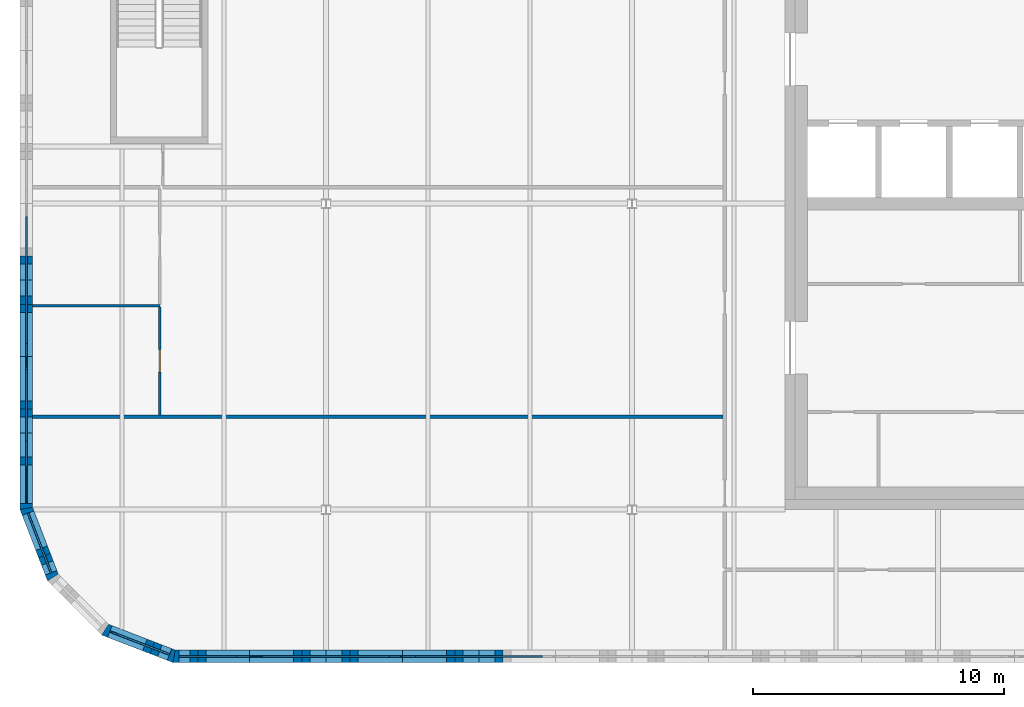
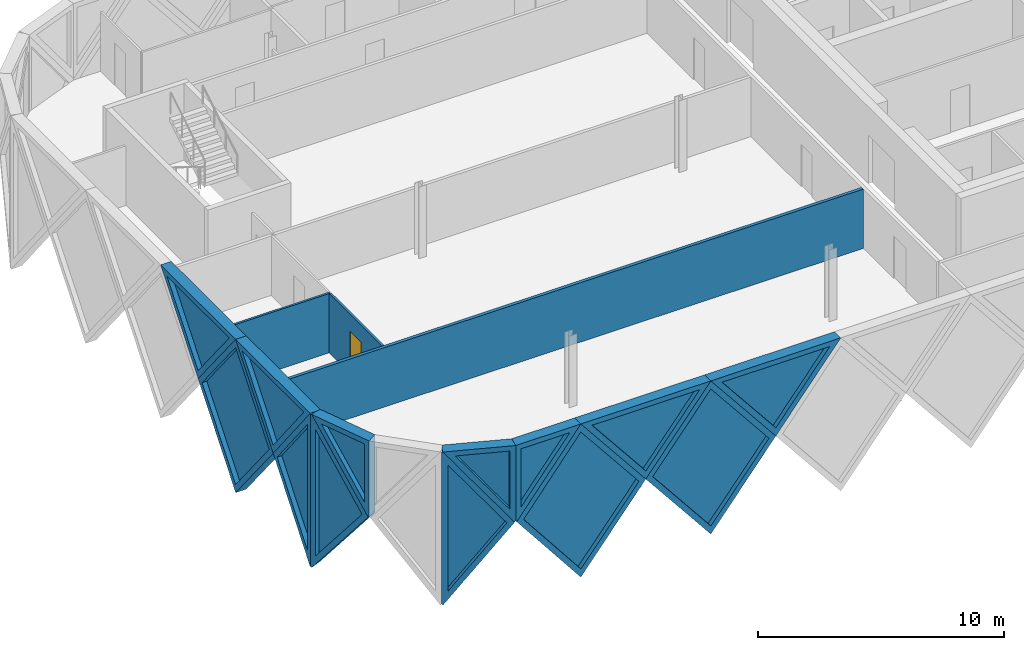
# One storey, part 3 of 12: 16 walls, 13 plates, 1 door, 14 openings.
"""IFC4 building model written with IfcOpenShell, lengths in metres."""

from ifc_helpers import new_model, si_unit, direction, frame, frame_2d, origin, place, context, subcontext, project, spatial, polyline, rectangle, outline, extrude, faceted_brep, source, transform, mapped, material, layer, layer_set, type_object, element, fill, save


model = new_model("IFC4")

# Units and contexts
model_context = context("Model", 3, precision=1e-05, world=origin(), true_north=direction((0.0, 1.0)))
body_context = subcontext(model_context, "Body", "Model", "MODEL_VIEW")
ifc_project = project(units=[si_unit("LENGTHUNIT", "METRE"), si_unit("AREAUNIT", "SQUARE_METRE"), si_unit("VOLUMEUNIT", "CUBIC_METRE"), si_unit("PLANEANGLEUNIT", "RADIAN"), si_unit("MASSUNIT", "GRAM", prefix="KILO")], contexts=[model_context])

# Site, building, storey
site_placement = place(None, origin())
site = spatial("IfcSite", under=ifc_project, at=site_placement, CompositionType="ELEMENT")
building_placement = place(site_placement, origin())
building = spatial("IfcBuilding", under=site, at=building_placement, Name="Tessera Gate Towers", CompositionType="ELEMENT")
storey_placement = place(building_placement, frame((0.0, 0.0, 255.89990234375)))
storey = spatial("IfcBuildingStorey", under=building, at=storey_placement, Name="L64", CompositionType="ELEMENT", Elevation=255.89990234375)

# Wall, opening, door
ifc_material_1 = material(Name="Gypsum board on steel studs", Category="steel")
ifc_layer_1 = layer(ifc_material_1, 0.10009765625)
ifc_layer_set_1 = layer_set([ifc_layer_1], Name="PARTITION 100")
wall_type_1 = type_object("IfcWallType", Name="PARTITION 100", PredefinedType="PARTITIONING", material=ifc_layer_set_1)
wall_1_placement = place(storey_placement, frame((5.574951171875, 28.176025390625, 0.0), z_axis=(0.0, 0.0, 1.0), x_axis=(0.0, 1.0, 0.0)))
wall_1 = element("IfcWall", 1, at=wall_1_placement, inside=storey, type_object=wall_type_1, Name="T1-L64-PW-008", PredefinedType="PARTITIONING", context=body_context, shape_type="SweptSolid", body=[
    extrude(rectangle(XDim=4.293212890625, YDim=0.10009765625, at=frame_2d((2.146484375, 0.0))), origin(), (0.0, 0.0, 1.0), 2.947021484375),
])
shared_shape_1 = source(origin(), body_context, "Body", "SweptSolid", [
    extrude(rectangle(XDim=0.89990234375, YDim=2.10009765625, at=frame_2d((0.449951171875, 1.050048828125))), frame((0.0, 0.06005859375, 0.0), z_axis=(0.0, -1.0, 0.0), x_axis=(1.0, 0.0, 0.0)), (0.0, 0.0, 1.0), 0.1201171875),
])
opening_1_placement = place(wall_1_placement, frame((1.699951171875, 0.0, 0.0)))
opening_1 = element("IfcOpeningElement", 2, at=opening_1_placement, cuts=wall_1, Name="Opening D190-A22-01", PredefinedType="OPENING", context=body_context, shape_type="MappedRepresentation", body=[
    mapped(shared_shape_1, transform((0.0, 0.0, 0.0), scale=1.0)),
])
ifc_material_2 = material(Name="Timber door leaf in steel frame", Category="steel")
door_type = type_object("IfcDoorType", Name="INTERNAL DOOR 900 NOT RATED", OperationType="NOTDEFINED", PredefinedType="DOOR", material=ifc_material_2)
shared_shape_2 = source(origin(), body_context, "Body", "SweptSolid", [
    extrude(rectangle(XDim=0.89990234375, YDim=2.10009765625, at=frame_2d((0.449951171875, 1.050048828125))), frame((0.0, 0.02490234375, 0.0), z_axis=(0.0, -1.0, 0.0), x_axis=(1.0, 0.0, 0.0)), (0.0, 0.0, 1.0), 0.050048828125),
])
door_placement = place(opening_1_placement, origin())
door = element("IfcDoor", 3, at=door_placement, inside=storey, type_object=door_type, Name="T1-L64-PD-002", OperationType="SINGLE_SWING_LEFT", OverallHeight=2.10009765625, OverallWidth=0.89990234375, PredefinedType="DOOR", context=body_context, shape_type="MappedRepresentation", body=[
    mapped(shared_shape_2, transform((0.0, 0.0, 0.0), scale=1.0)),
])
fill(opening_1, door)

# Walls
wall_2_placement = place(storey_placement, frame((0.5, 32.52001953125, 0.0), z_axis=(0.0, 0.0, 1.0), x_axis=(1.0, 0.0, 0.0)))
element("IfcWall", 4, at=wall_2_placement, inside=storey, type_object=wall_type_1, Name="T1-L64-PW-009", PredefinedType="PARTITIONING", context=body_context, shape_type="SweptSolid", body=[
    extrude(rectangle(XDim=5.074951171875, YDim=0.10009765625, at=frame_2d((2.53759765625, 0.0))), origin(), (0.0, 0.0, 1.0), 2.947021484375),
])
ifc_material_3 = material(Name="Gypsum board on steel studs, mineral wool", Category="steel")
ifc_layer_2 = layer(ifc_material_3, 0.14990234375)
ifc_layer_set_2 = layer_set([ifc_layer_2], Name="TENANCY WALL 150")
wall_type_2 = type_object("IfcWallType", Name="TENANCY WALL 150", PredefinedType="PARTITIONING", material=ifc_layer_set_2)
wall_3_placement = place(storey_placement, frame((0.5, 28.10009765625, 0.0), z_axis=(0.0, 0.0, 1.0), x_axis=(1.0, 0.0, 0.0)))
element("IfcWall", 5, at=wall_3_placement, inside=storey, type_object=wall_type_2, Name="T1-L64-PW-007", PredefinedType="PARTITIONING", context=body_context, shape_type="SweptSolid", body=[
    extrude(rectangle(XDim=27.52392578125, YDim=0.14990234375, at=frame_2d((13.761962890625, 0.0))), origin(), (0.0, 0.0, 1.0), 2.947021484375),
])

# Wall, opening, plate
ifc_material_4 = material(Name="Precast concrete C60/75 white", Category="concrete")
ifc_layer_3 = layer(ifc_material_4, 0.5)
ifc_layer_set_3 = layer_set([ifc_layer_3], Name="TS1 tessera")
wall_type_3 = type_object("IfcWallType", Name="TS1 tessera", PredefinedType="SOLIDWALL", material=ifc_layer_set_3)
shared_shape_3 = source(origin(), body_context, "Body", "SweptSolid", [
    extrude(outline(polyline([(3.050048828125, 0.0), (6.10009765625, 3.7998046875), (3.050048828125, 7.599853515625), (0.0, 3.7998046875), (3.050048828125, 0.0)])), frame((0.0, 0.25, 0.0), z_axis=(0.0, -1.0, 0.0), x_axis=(1.0, 0.0, 0.0)), (0.0, 0.0, 1.0), 0.5),
])
wall_4_placement = place(storey_placement, frame((12.199951171875, 18.550048828125, -3.7998046875), z_axis=(0.0, 0.0, 1.0), x_axis=(1.0, 0.0, 0.0)))
wall_4 = element("IfcWall", 6, at=wall_4_placement, inside=storey, type_object=wall_type_3, Name="Precast tessera T1 TS1-1124", PredefinedType="SOLIDWALL", context=body_context, shape_type="MappedRepresentation", body=[
    mapped(shared_shape_3, transform((0.0, 0.0, 0.0), scale=1.0)),
])
shared_shape_4 = source(origin(), body_context, "Body", "SweptSolid", [
    extrude(outline(polyline([(3.050048828125, 0.3994140625), (5.779541015625, 3.7998046875), (3.050048828125, 7.200439453125), (0.320556640625, 3.7998046875), (3.050048828125, 0.3994140625)])), frame((0.0, 0.260009765625, 0.0), z_axis=(0.0, -1.0, 0.0), x_axis=(1.0, 0.0, 0.0)), (0.0, 0.0, 1.0), 0.52001953125),
])
opening_2_placement = place(wall_4_placement, origin())
opening_2 = element("IfcOpeningElement", 7, at=opening_2_placement, cuts=wall_4, Name="Opening T1-PL2-2272", PredefinedType="OPENING", context=body_context, shape_type="MappedRepresentation", body=[
    mapped(shared_shape_4, transform((0.0, 0.0, 0.0), scale=1.0)),
])
ifc_material_5 = material(Name="Low-e laminated glass", Category="glass")
ifc_layer_4 = layer(ifc_material_5, 0.06005859375)
ifc_layer_set_4 = layer_set([ifc_layer_4], Name="PL2 rhombic pane")
plate_type_1 = type_object("IfcPlateType", Name="PL2 rhombic pane", PredefinedType="SHEET", material=ifc_layer_set_4)
shared_shape_5 = source(origin(), body_context, "Body", "SweptSolid", [
    extrude(outline(polyline([(3.050048828125, 0.3994140625), (5.779541015625, 3.7998046875), (3.050048828125, 7.200439453125), (0.320556640625, 3.7998046875), (3.050048828125, 0.3994140625)])), frame((0.0, 0.030029296875, 0.0), z_axis=(0.0, -1.0, 0.0), x_axis=(1.0, 0.0, 0.0)), (0.0, 0.0, 1.0), 0.06005859375),
])
plate_1_placement = place(opening_2_placement, origin())
plate_1 = element("IfcPlate", 8, at=plate_1_placement, inside=storey, type_object=plate_type_1, Name="Glass pane T1 PL2-2272", PredefinedType="SHEET", context=body_context, shape_type="MappedRepresentation", body=[
    mapped(shared_shape_5, transform((0.0, 0.0, 0.0), scale=1.0)),
])
fill(opening_2, plate_1)

wall_5_placement = place(storey_placement, frame((0.25, 33.550048828125, -3.7998046875), z_axis=(0.0, 0.0, 1.0), x_axis=(0.0, -1.0, 0.0)))
wall_5 = element("IfcWall", 9, at=wall_5_placement, inside=storey, type_object=wall_type_3, Name="Precast tessera T1 TS1-1144", PredefinedType="SOLIDWALL", context=body_context, shape_type="MappedRepresentation", body=[
    mapped(shared_shape_3, transform((0.0, 0.0, 0.0), scale=1.0)),
])
opening_3_placement = place(wall_5_placement, origin())
opening_3 = element("IfcOpeningElement", 10, at=opening_3_placement, cuts=wall_5, Name="Opening T1-PL2-2304", PredefinedType="OPENING", context=body_context, shape_type="MappedRepresentation", body=[
    mapped(shared_shape_4, transform((0.0, 0.0, 0.0), scale=1.0)),
])
plate_2_placement = place(opening_3_placement, origin())
plate_2 = element("IfcPlate", 11, at=plate_2_placement, inside=storey, type_object=plate_type_1, Name="Glass pane T1 PL2-2304", PredefinedType="SHEET", context=body_context, shape_type="MappedRepresentation", body=[
    mapped(shared_shape_5, transform((0.0, 0.0, 0.0), scale=1.0)),
])
fill(opening_3, plate_2)

ifc_material_6 = material(Name="Precast concrete C60/75 white", Category="concrete")
ifc_layer_5 = layer(ifc_material_6, 0.5)
ifc_layer_set_5 = layer_set([ifc_layer_5], Name="TS3 corner tessera")
wall_type_4 = type_object("IfcWallType", Name="TS3 corner tessera", PredefinedType="SOLIDWALL", material=ifc_layer_set_5)
shared_shape_6 = source(origin(), body_context, "Body", "Brep", [
    faceted_brep([(3.00341796875, -0.25, 0.0), (3.050048828125, -0.25, 0.06005859375), (3.050048828125, -0.25, 7.539794921875), (3.00341796875, -0.25, 7.599853515625), (0.0, -0.25, 3.7998046875), (0.0, 0.25, 3.7998046875), (2.956787109375, 0.25, 7.541015625), (2.956787109375, 0.25, 0.058837890625), (3.00341796875, 0.000244140625, 0.0), (3.00341796875, 0.000244140625, 7.599853515625)], [[[0, 1, 2, 3, 4]], [[5, 6, 7]], [[1, 0, 8]], [[9, 3, 2]], [[6, 5, 4, 3, 9]], [[5, 7, 8, 0, 4]], [[1, 8, 7, 6, 9, 2]]]),
])
wall_6_placement = place(storey_placement, frame((0.25, 27.449951171875, -3.7998046875), z_axis=(0.0, 0.0, 1.0), x_axis=(0.0, -1.0, 0.0)))
wall_6 = element("IfcWall", 12, at=wall_6_placement, inside=storey, type_object=wall_type_4, Name="Precast corner tessera T1 TS3-1461", PredefinedType="SOLIDWALL", context=body_context, shape_type="MappedRepresentation", body=[
    mapped(shared_shape_6, transform((0.0, 0.0, 0.0), scale=1.0)),
])
shared_shape_7 = source(origin(), body_context, "Body", "SweptSolid", [
    extrude(outline(polyline([(2.803466796875, 6.943603515625), (0.318603515625, 3.7998046875), (2.803466796875, 0.656005859375), (2.803466796875, 6.943603515625)])), frame((0.0, 0.260009765625, 0.0), z_axis=(0.0, -1.0, 0.0), x_axis=(1.0, 0.0, 0.0)), (0.0, 0.0, 1.0), 0.52001953125),
])
opening_4_placement = place(wall_6_placement, origin())
opening_4 = element("IfcOpeningElement", 13, at=opening_4_placement, cuts=wall_6, Name="Opening T1-PL2-2305", PredefinedType="OPENING", context=body_context, shape_type="MappedRepresentation", body=[
    mapped(shared_shape_7, transform((0.0, 0.0, 0.0), scale=1.0)),
])
shared_shape_8 = source(origin(), body_context, "Body", "SweptSolid", [
    extrude(outline(polyline([(2.803466796875, 6.943603515625), (0.318603515625, 3.7998046875), (2.803466796875, 0.656005859375), (2.803466796875, 6.943603515625)])), frame((0.0, 0.030029296875, 0.0), z_axis=(0.0, -1.0, 0.0), x_axis=(1.0, 0.0, 0.0)), (0.0, 0.0, 1.0), 0.06005859375),
])
plate_3_placement = place(opening_4_placement, origin())
plate_3 = element("IfcPlate", 14, at=plate_3_placement, inside=storey, type_object=plate_type_1, Name="Glass pane T1 PL2-2305", PredefinedType="SHEET", context=body_context, shape_type="MappedRepresentation", body=[
    mapped(shared_shape_8, transform((0.0, 0.0, 0.0), scale=1.0)),
])
fill(opening_4, plate_3)

shared_shape_9 = source(origin(), body_context, "Body", "Brep", [
    faceted_brep([(0.046630859375, -0.25, 0.0), (2.9970703125, -0.25, 3.7998046875), (0.046630859375, -0.25, 7.599853515625), (0.0, -0.25, 7.541015625), (0.0, -0.25, 0.058837890625), (0.09326171875, 0.25, 7.539794921875), (2.9443359375, 0.25, 3.867919921875), (2.9443359375, 0.25, 3.731689453125), (0.09326171875, 0.25, 0.06005859375), (2.9970703125, 0.00048828125, 3.7998046875), (0.046630859375, 0.0, 0.0), (0.046630859375, 0.0, 7.599853515625)], [[[0, 1, 2, 3, 4]], [[5, 6, 7, 8]], [[8, 7, 9, 1, 0, 10]], [[6, 5, 11, 2, 1, 9]], [[3, 2, 11]], [[10, 0, 4]], [[8, 10, 4, 3, 11, 5]], [[9, 7, 6]]]),
])
wall_7_placement = place(storey_placement, frame((0.233154296875, 24.489990234375, -3.7998046875), z_axis=(0.0, 0.0, 1.0), x_axis=(0.359901446078, -0.932990326376, 0.0)))
wall_7 = element("IfcWall", 15, at=wall_7_placement, inside=storey, type_object=wall_type_4, Name="Precast corner tessera T1 TS3-1462", PredefinedType="SOLIDWALL", context=body_context, shape_type="MappedRepresentation", body=[
    mapped(shared_shape_9, transform((0.0, 0.0, 0.0), scale=1.0)),
])
shared_shape_10 = source(origin(), body_context, "Body", "SweptSolid", [
    extrude(outline(polyline([(0.24658203125, 0.6650390625), (2.6806640625, 3.7998046875), (0.24658203125, 6.9345703125), (0.24658203125, 0.6650390625)])), frame((0.0, 0.260009765625, 0.0), z_axis=(0.0, -1.0, 0.0), x_axis=(1.0, 0.0, 0.0)), (0.0, 0.0, 1.0), 0.52001953125),
])
opening_5_placement = place(wall_7_placement, origin())
opening_5 = element("IfcOpeningElement", 16, at=opening_5_placement, cuts=wall_7, Name="Opening T1-PL2-2306", PredefinedType="OPENING", context=body_context, shape_type="MappedRepresentation", body=[
    mapped(shared_shape_10, transform((0.0, 0.0, 0.0), scale=1.0)),
])
shared_shape_11 = source(origin(), body_context, "Body", "SweptSolid", [
    extrude(outline(polyline([(0.24658203125, 0.6650390625), (2.6806640625, 3.7998046875), (0.24658203125, 6.9345703125), (0.24658203125, 0.6650390625)])), frame((0.0, 0.030029296875, 0.0), z_axis=(0.0, -1.0, 0.0), x_axis=(1.0, 0.0, 0.0)), (0.0, 0.0, 1.0), 0.06005859375),
])
plate_4_placement = place(opening_5_placement, origin())
plate_4 = element("IfcPlate", 17, at=plate_4_placement, inside=storey, type_object=plate_type_1, Name="Glass pane T1 PL2-2306", PredefinedType="SHEET", context=body_context, shape_type="MappedRepresentation", body=[
    mapped(shared_shape_11, transform((0.0, 0.0, 0.0), scale=1.0)),
])
fill(opening_5, plate_4)

shared_shape_12 = source(origin(), body_context, "Body", "Brep", [
    faceted_brep([(3.00341796875, -0.25, 0.0), (6.053466796875, -0.25, 3.7998046875), (3.00341796875, -0.25, 7.599853515625), (0.0, -0.25, 3.7998046875), (0.046630859375, 0.25, 3.858642578125), (3.00341796875, 0.25, 7.599853515625), (6.053466796875, 0.25, 3.7998046875), (3.00341796875, 0.25, 0.0), (0.046630859375, 0.25, 3.740966796875), (0.0, 0.0, 3.7998046875)], [[[0, 1, 2, 3]], [[4, 5, 6, 7, 8]], [[7, 6, 1, 0]], [[6, 5, 2, 1]], [[5, 4, 9, 3, 2]], [[8, 7, 0, 3, 9]], [[8, 9, 4]]]),
])
wall_8_placement = place(storey_placement, frame((6.146484375, 18.550048828125, -3.7998046875), z_axis=(0.0, 0.0, 1.0), x_axis=(1.0, 0.0, 0.0)))
wall_8 = element("IfcWall", 18, at=wall_8_placement, inside=storey, type_object=wall_type_3, Name="Precast tessera T1 TS1-1123", PredefinedType="SOLIDWALL", context=body_context, shape_type="MappedRepresentation", body=[
    mapped(shared_shape_12, transform((0.0, 0.0, 0.0), scale=1.0)),
])
shared_shape_13 = source(origin(), body_context, "Body", "SweptSolid", [
    extrude(outline(polyline([(3.0048828125, 0.401123046875), (5.73291015625, 3.7998046875), (3.0048828125, 7.19873046875), (0.318603515625, 3.7998046875), (3.0048828125, 0.401123046875)])), frame((0.0, 0.260009765625, 0.0), z_axis=(0.0, -1.0, 0.0), x_axis=(1.0, 0.0, 0.0)), (0.0, 0.0, 1.0), 0.52001953125),
])
opening_6_placement = place(wall_8_placement, origin())
opening_6 = element("IfcOpeningElement", 19, at=opening_6_placement, cuts=wall_8, Name="Opening T1-PL2-2271", PredefinedType="OPENING", context=body_context, shape_type="MappedRepresentation", body=[
    mapped(shared_shape_13, transform((0.0, 0.0, 0.0), scale=1.0)),
])
shared_shape_14 = source(origin(), body_context, "Body", "SweptSolid", [
    extrude(outline(polyline([(3.0048828125, 0.401123046875), (5.73291015625, 3.7998046875), (3.0048828125, 7.19873046875), (0.318603515625, 3.7998046875), (3.0048828125, 0.401123046875)])), frame((0.0, 0.030029296875, 0.0), z_axis=(0.0, -1.0, 0.0), x_axis=(1.0, 0.0, 0.0)), (0.0, 0.0, 1.0), 0.06005859375),
])
plate_5_placement = place(opening_6_placement, origin())
plate_5 = element("IfcPlate", 20, at=plate_5_placement, inside=storey, type_object=plate_type_1, Name="Glass pane T1 PL2-2271", PredefinedType="SHEET", context=body_context, shape_type="MappedRepresentation", body=[
    mapped(shared_shape_14, transform((0.0, 0.0, 0.0), scale=1.0)),
])
fill(opening_6, plate_5)

shared_shape_15 = source(origin(), body_context, "Body", "Brep", [
    faceted_brep([(0.052978515625, -0.25, 0.0), (3.00341796875, -0.25, 3.7998046875), (0.052978515625, -0.25, 7.599853515625), (0.0, -0.25, 7.531494140625), (0.0, -0.25, 0.068359375), (0.10595703125, 0.25, 7.53173828125), (2.95703125, 0.25, 3.859619140625), (2.95703125, 0.25, 3.739990234375), (0.10595703125, 0.25, 0.068115234375), (3.00341796875, 0.00048828125, 3.7998046875), (0.052978515625, 0.0, 0.0), (0.052978515625, 0.0, 7.599853515625)], [[[0, 1, 2, 3, 4]], [[5, 6, 7, 8]], [[8, 7, 9, 1, 0, 10]], [[6, 5, 11, 2, 1, 9]], [[3, 2, 11]], [[10, 0, 4]], [[8, 10, 4, 3, 11, 5]], [[9, 7, 6]]]),
])
wall_9_placement = place(storey_placement, frame((3.34423828125, 19.630859375, -3.7998046875), z_axis=(0.0, 0.0, 1.0), x_axis=(0.933007896601, -0.359855894603, 0.0)))
wall_9 = element("IfcWall", 21, at=wall_9_placement, inside=storey, type_object=wall_type_4, Name="Precast corner tessera T1 TS3-1464", PredefinedType="SOLIDWALL", context=body_context, shape_type="MappedRepresentation", body=[
    mapped(shared_shape_15, transform((0.0, 0.0, 0.0), scale=1.0)),
])
shared_shape_16 = source(origin(), body_context, "Body", "SweptSolid", [
    extrude(outline(polyline([(0.2529296875, 0.6650390625), (2.68701171875, 3.7998046875), (0.2529296875, 6.9345703125), (0.2529296875, 0.6650390625)])), frame((0.0, 0.260009765625, 0.0), z_axis=(0.0, -1.0, 0.0), x_axis=(1.0, 0.0, 0.0)), (0.0, 0.0, 1.0), 0.52001953125),
])
opening_7_placement = place(wall_9_placement, origin())
opening_7 = element("IfcOpeningElement", 22, at=opening_7_placement, cuts=wall_9, Name="Opening T1-PL2-2308", PredefinedType="OPENING", context=body_context, shape_type="MappedRepresentation", body=[
    mapped(shared_shape_16, transform((0.0, 0.0, 0.0), scale=1.0)),
])
shared_shape_17 = source(origin(), body_context, "Body", "SweptSolid", [
    extrude(outline(polyline([(0.2529296875, 0.6650390625), (2.68701171875, 3.7998046875), (0.2529296875, 6.9345703125), (0.2529296875, 0.6650390625)])), frame((0.0, 0.030029296875, 0.0), z_axis=(0.0, -1.0, 0.0), x_axis=(1.0, 0.0, 0.0)), (0.0, 0.0, 1.0), 0.06005859375),
])
plate_6_placement = place(opening_7_placement, origin())
plate_6 = element("IfcPlate", 23, at=plate_6_placement, inside=storey, type_object=plate_type_1, Name="Glass pane T1 PL2-2308", PredefinedType="SHEET", context=body_context, shape_type="MappedRepresentation", body=[
    mapped(shared_shape_17, transform((0.0, 0.0, 0.0), scale=1.0)),
])
fill(opening_7, plate_6)

shared_shape_18 = source(origin(), body_context, "Body", "Brep", [
    faceted_brep([(0.046630859375, -0.25, 0.0), (3.050048828125, -0.25, 3.800048828125), (0.0, -0.25, 3.800048828125), (0.0, -0.25, 0.06005859375), (0.09326171875, 0.25, 3.800048828125), (3.050048828125, 0.25, 3.800048828125), (0.09326171875, 0.25, 0.058837890625), (0.046630859375, 0.0, 0.0)], [[[0, 1, 2, 3]], [[4, 5, 6]], [[6, 5, 1, 0, 7]], [[5, 4, 2, 1]], [[7, 0, 3]], [[6, 7, 3, 2, 4]]]),
])
wall_10_placement = place(storey_placement, frame((6.099853515625, 18.550048828125, 0.0), z_axis=(0.0, 0.0, 1.0), x_axis=(1.0, 0.0, 0.0)))
wall_10 = element("IfcWall", 24, at=wall_10_placement, inside=storey, type_object=wall_type_4, Name="Precast corner tessera T1 TS3-1465", PredefinedType="SOLIDWALL", context=body_context, shape_type="MappedRepresentation", body=[
    mapped(shared_shape_18, transform((0.0, 0.0, 0.0), scale=1.0)),
])
shared_shape_19 = source(origin(), body_context, "Body", "SweptSolid", [
    extrude(outline(polyline([(0.24658203125, 0.65625), (2.533935546875, 3.550048828125), (0.24658203125, 3.550048828125), (0.24658203125, 0.65625)])), frame((0.0, 0.260009765625, 0.0), z_axis=(0.0, -1.0, 0.0), x_axis=(1.0, 0.0, 0.0)), (0.0, 0.0, 1.0), 0.52001953125),
])
opening_8_placement = place(wall_10_placement, origin())
opening_8 = element("IfcOpeningElement", 25, at=opening_8_placement, cuts=wall_10, Name="Opening T1-PL1-0608", PredefinedType="OPENING", context=body_context, shape_type="MappedRepresentation", body=[
    mapped(shared_shape_19, transform((0.0, 0.0, 0.0), scale=1.0)),
])
ifc_material_7 = material(Name="Low-e laminated glass", Category="glass")
ifc_layer_6 = layer(ifc_material_7, 0.06005859375)
ifc_layer_set_6 = layer_set([ifc_layer_6], Name="PL1 triangular pane")
plate_type_2 = type_object("IfcPlateType", Name="PL1 triangular pane", PredefinedType="SHEET", material=ifc_layer_set_6)
shared_shape_20 = source(origin(), body_context, "Body", "SweptSolid", [
    extrude(outline(polyline([(0.24658203125, 0.65625), (2.533935546875, 3.550048828125), (0.24658203125, 3.550048828125), (0.24658203125, 0.65625)])), frame((0.0, 0.030029296875, 0.0), z_axis=(0.0, -1.0, 0.0), x_axis=(1.0, 0.0, 0.0)), (0.0, 0.0, 1.0), 0.06005859375),
])
plate_7_placement = place(opening_8_placement, origin())
plate_7 = element("IfcPlate", 26, at=plate_7_placement, inside=storey, type_object=plate_type_2, Name="Glass pane T1 PL1-0608", PredefinedType="SHEET", context=body_context, shape_type="MappedRepresentation", body=[
    mapped(shared_shape_20, transform((0.0, 0.0, 0.0), scale=1.0)),
])
fill(opening_8, plate_7)

ifc_material_8 = material(Name="Precast concrete C60/75 white", Category="concrete")
ifc_layer_7 = layer(ifc_material_8, 0.5)
ifc_layer_set_7 = layer_set([ifc_layer_7], Name="TS2 half tessera")
wall_type_5 = type_object("IfcWallType", Name="TS2 half tessera", PredefinedType="SOLIDWALL", material=ifc_layer_set_7)
shared_shape_21 = source(origin(), body_context, "Body", "SweptSolid", [
    extrude(outline(polyline([(3.050048828125, 0.0), (6.10009765625, 3.800048828125), (0.0, 3.800048828125), (3.050048828125, 0.0)])), frame((0.0, 0.25, 0.0), z_axis=(0.0, -1.0, 0.0), x_axis=(1.0, 0.0, 0.0)), (0.0, 0.0, 1.0), 0.5),
])
wall_11_placement = place(storey_placement, frame((9.14990234375, 18.550048828125, 0.0), z_axis=(0.0, 0.0, 1.0), x_axis=(1.0, 0.0, 0.0)))
wall_11 = element("IfcWall", 27, at=wall_11_placement, inside=storey, type_object=wall_type_5, Name="Precast half tessera T1 TS2-0298", PredefinedType="SOLIDWALL", context=body_context, shape_type="MappedRepresentation", body=[
    mapped(shared_shape_21, transform((0.0, 0.0, 0.0), scale=1.0)),
])
shared_shape_22 = source(origin(), body_context, "Body", "SweptSolid", [
    extrude(outline(polyline([(3.050048828125, 0.3994140625), (5.578857421875, 3.550048828125), (0.521240234375, 3.550048828125), (3.050048828125, 0.3994140625)])), frame((0.0, 0.260009765625, 0.0), z_axis=(0.0, -1.0, 0.0), x_axis=(1.0, 0.0, 0.0)), (0.0, 0.0, 1.0), 0.52001953125),
])
opening_9_placement = place(wall_11_placement, origin())
opening_9 = element("IfcOpeningElement", 28, at=opening_9_placement, cuts=wall_11, Name="Opening T1-PL1-0610", PredefinedType="OPENING", context=body_context, shape_type="MappedRepresentation", body=[
    mapped(shared_shape_22, transform((0.0, 0.0, 0.0), scale=1.0)),
])
shared_shape_23 = source(origin(), body_context, "Body", "SweptSolid", [
    extrude(outline(polyline([(3.050048828125, 0.3994140625), (5.578857421875, 3.550048828125), (0.521240234375, 3.550048828125), (3.050048828125, 0.3994140625)])), frame((0.0, 0.030029296875, 0.0), z_axis=(0.0, -1.0, 0.0), x_axis=(1.0, 0.0, 0.0)), (0.0, 0.0, 1.0), 0.06005859375),
])
plate_8_placement = place(opening_9_placement, origin())
plate_8 = element("IfcPlate", 29, at=plate_8_placement, inside=storey, type_object=plate_type_2, Name="Glass pane T1 PL1-0610", PredefinedType="SHEET", context=body_context, shape_type="MappedRepresentation", body=[
    mapped(shared_shape_23, transform((0.0, 0.0, 0.0), scale=1.0)),
])
fill(opening_9, plate_8)

wall_12_placement = place(storey_placement, frame((15.25, 18.550048828125, 0.0), z_axis=(0.0, 0.0, 1.0), x_axis=(1.0, 0.0, 0.0)))
wall_12 = element("IfcWall", 30, at=wall_12_placement, inside=storey, type_object=wall_type_5, Name="Precast half tessera T1 TS2-0299", PredefinedType="SOLIDWALL", context=body_context, shape_type="MappedRepresentation", body=[
    mapped(shared_shape_21, transform((0.0, 0.0, 0.0), scale=1.0)),
])
opening_10_placement = place(wall_12_placement, origin())
opening_10 = element("IfcOpeningElement", 31, at=opening_10_placement, cuts=wall_12, Name="Opening T1-PL1-0611", PredefinedType="OPENING", context=body_context, shape_type="MappedRepresentation", body=[
    mapped(shared_shape_22, transform((0.0, 0.0, 0.0), scale=1.0)),
])
plate_9_placement = place(opening_10_placement, origin())
plate_9 = element("IfcPlate", 32, at=plate_9_placement, inside=storey, type_object=plate_type_2, Name="Glass pane T1 PL1-0611", PredefinedType="SHEET", context=body_context, shape_type="MappedRepresentation", body=[
    mapped(shared_shape_23, transform((0.0, 0.0, 0.0), scale=1.0)),
])
fill(opening_10, plate_9)

wall_13_placement = place(storey_placement, frame((0.25, 36.60009765625, 0.0), z_axis=(0.0, 0.0, 1.0), x_axis=(0.0, -1.0, 0.0)))
wall_13 = element("IfcWall", 33, at=wall_13_placement, inside=storey, type_object=wall_type_5, Name="Precast half tessera T1 TS2-0318", PredefinedType="SOLIDWALL", context=body_context, shape_type="MappedRepresentation", body=[
    mapped(shared_shape_21, transform((0.0, 0.0, 0.0), scale=1.0)),
])
opening_11_placement = place(wall_13_placement, origin())
opening_11 = element("IfcOpeningElement", 34, at=opening_11_placement, cuts=wall_13, Name="Opening T1-PL1-0642", PredefinedType="OPENING", context=body_context, shape_type="MappedRepresentation", body=[
    mapped(shared_shape_22, transform((0.0, 0.0, 0.0), scale=1.0)),
])
plate_10_placement = place(opening_11_placement, origin())
plate_10 = element("IfcPlate", 35, at=plate_10_placement, inside=storey, type_object=plate_type_2, Name="Glass pane T1 PL1-0642", PredefinedType="SHEET", context=body_context, shape_type="MappedRepresentation", body=[
    mapped(shared_shape_23, transform((0.0, 0.0, 0.0), scale=1.0)),
])
fill(opening_11, plate_10)

shared_shape_24 = source(origin(), body_context, "Body", "Brep", [
    faceted_brep([(3.050048828125, -0.25, 0.0), (6.053466796875, -0.25, 3.800048828125), (0.0, -0.25, 3.800048828125), (0.0, 0.25, 3.800048828125), (6.0068359375, 0.25, 3.800048828125), (6.0068359375, 0.25, 3.7412109375), (3.050048828125, 0.25, 0.0), (6.053466796875, 0.0, 3.800048828125)], [[[0, 1, 2]], [[3, 4, 5, 6]], [[6, 5, 7, 1, 0]], [[4, 3, 2, 1, 7]], [[3, 6, 0, 2]], [[5, 4, 7]]]),
])
wall_14_placement = place(storey_placement, frame((0.25, 30.5, 0.0), z_axis=(0.0, 0.0, 1.0), x_axis=(0.0, -1.0, 0.0)))
wall_14 = element("IfcWall", 36, at=wall_14_placement, inside=storey, type_object=wall_type_5, Name="Precast half tessera T1 TS2-0319", PredefinedType="SOLIDWALL", context=body_context, shape_type="MappedRepresentation", body=[
    mapped(shared_shape_24, transform((0.0, 0.0, 0.0), scale=1.0)),
])
shared_shape_25 = source(origin(), body_context, "Body", "SweptSolid", [
    extrude(outline(polyline([(3.048583984375, 0.4013671875), (5.537109375, 3.550048828125), (0.521240234375, 3.550048828125), (3.048583984375, 0.4013671875)])), frame((0.0, 0.260009765625, 0.0), z_axis=(0.0, -1.0, 0.0), x_axis=(1.0, 0.0, 0.0)), (0.0, 0.0, 1.0), 0.52001953125),
])
opening_12_placement = place(wall_14_placement, origin())
opening_12 = element("IfcOpeningElement", 37, at=opening_12_placement, cuts=wall_14, Name="Opening T1-PL1-0643", PredefinedType="OPENING", context=body_context, shape_type="MappedRepresentation", body=[
    mapped(shared_shape_25, transform((0.0, 0.0, 0.0), scale=1.0)),
])
shared_shape_26 = source(origin(), body_context, "Body", "SweptSolid", [
    extrude(outline(polyline([(3.048583984375, 0.4013671875), (5.537109375, 3.550048828125), (0.521240234375, 3.550048828125), (3.048583984375, 0.4013671875)])), frame((0.0, 0.030029296875, 0.0), z_axis=(0.0, -1.0, 0.0), x_axis=(1.0, 0.0, 0.0)), (0.0, 0.0, 1.0), 0.06005859375),
])
plate_11_placement = place(opening_12_placement, origin())
plate_11 = element("IfcPlate", 38, at=plate_11_placement, inside=storey, type_object=plate_type_2, Name="Glass pane T1 PL1-0643", PredefinedType="SHEET", context=body_context, shape_type="MappedRepresentation", body=[
    mapped(shared_shape_26, transform((0.0, 0.0, 0.0), scale=1.0)),
])
fill(opening_12, plate_11)

shared_shape_27 = source(origin(), body_context, "Body", "Brep", [
    faceted_brep([(2.950439453125, -0.25, 0.0), (3.00341796875, -0.25, 0.068359375), (3.00341796875, -0.25, 3.800048828125), (0.0, -0.25, 3.800048828125), (0.046630859375, 0.25, 3.800048828125), (2.897705078125, 0.25, 3.800048828125), (2.897705078125, 0.25, 0.068115234375), (0.046630859375, 0.25, 3.739990234375), (2.950439453125, 0.00048828125, 0.0), (0.0, 0.0, 3.800048828125)], [[[0, 1, 2, 3]], [[4, 5, 6, 7]], [[1, 0, 8]], [[5, 4, 9, 3, 2]], [[7, 6, 8, 0, 3, 9]], [[7, 9, 4]], [[1, 8, 6, 5, 2]]]),
])
wall_15_placement = place(storey_placement, frame((0.25, 24.446533203125, 0.0), z_axis=(0.0, 0.0, 1.0), x_axis=(0.35992665181, -0.932980602862, 0.0)))
wall_15 = element("IfcWall", 39, at=wall_15_placement, inside=storey, type_object=wall_type_4, Name="Precast corner tessera T1 TS3-1479", PredefinedType="SOLIDWALL", context=body_context, shape_type="MappedRepresentation", body=[
    mapped(shared_shape_27, transform((0.0, 0.0, 0.0), scale=1.0)),
])
shared_shape_28 = source(origin(), body_context, "Body", "SweptSolid", [
    extrude(outline(polyline([(2.75048828125, 3.550048828125), (0.5107421875, 3.550048828125), (2.75048828125, 0.665283203125), (2.75048828125, 3.550048828125)])), frame((0.0, 0.260009765625, 0.0), z_axis=(0.0, -1.0, 0.0), x_axis=(1.0, 0.0, 0.0)), (0.0, 0.0, 1.0), 0.52001953125),
])
opening_13_placement = place(wall_15_placement, origin())
opening_13 = element("IfcOpeningElement", 40, at=opening_13_placement, cuts=wall_15, Name="Opening T1-PL1-0644", PredefinedType="OPENING", context=body_context, shape_type="MappedRepresentation", body=[
    mapped(shared_shape_28, transform((0.0, 0.0, 0.0), scale=1.0)),
])
shared_shape_29 = source(origin(), body_context, "Body", "SweptSolid", [
    extrude(outline(polyline([(2.75048828125, 3.550048828125), (0.5107421875, 3.550048828125), (2.75048828125, 0.665283203125), (2.75048828125, 3.550048828125)])), frame((0.0, 0.030029296875, 0.0), z_axis=(0.0, -1.0, 0.0), x_axis=(1.0, 0.0, 0.0)), (0.0, 0.0, 1.0), 0.06005859375),
])
plate_12_placement = place(opening_13_placement, origin())
plate_12 = element("IfcPlate", 41, at=plate_12_placement, inside=storey, type_object=plate_type_2, Name="Glass pane T1 PL1-0644", PredefinedType="SHEET", context=body_context, shape_type="MappedRepresentation", body=[
    mapped(shared_shape_29, transform((0.0, 0.0, 0.0), scale=1.0)),
])
fill(opening_13, plate_12)

shared_shape_30 = source(origin(), body_context, "Body", "Brep", [
    faceted_brep([(2.950439453125, -0.25, 0.0), (2.9970703125, -0.25, 0.05908203125), (2.9970703125, -0.25, 3.800048828125), (0.0, -0.25, 3.800048828125), (0.052978515625, 0.25, 3.800048828125), (2.904052734375, 0.25, 3.800048828125), (2.904052734375, 0.25, 0.059814453125), (0.052978515625, 0.25, 3.73193359375), (2.950439453125, 0.00048828125, 0.0), (0.0, 0.0, 3.800048828125)], [[[0, 1, 2, 3]], [[4, 5, 6, 7]], [[1, 0, 8]], [[5, 4, 9, 3, 2]], [[7, 6, 8, 0, 3, 9]], [[7, 9, 4]], [[1, 8, 6, 5, 2]]]),
])
wall_16_placement = place(storey_placement, frame((3.393798828125, 19.61181640625, 0.0), z_axis=(0.0, 0.0, 1.0), x_axis=(0.932990326376, -0.359901446078, 0.0)))
wall_16 = element("IfcWall", 42, at=wall_16_placement, inside=storey, type_object=wall_type_4, Name="Precast corner tessera T1 TS3-1466", PredefinedType="SOLIDWALL", context=body_context, shape_type="MappedRepresentation", body=[
    mapped(shared_shape_30, transform((0.0, 0.0, 0.0), scale=1.0)),
])
opening_14_placement = place(wall_16_placement, origin())
opening_14 = element("IfcOpeningElement", 43, at=opening_14_placement, cuts=wall_16, Name="Opening T1-PL1-0609", PredefinedType="OPENING", context=body_context, shape_type="MappedRepresentation", body=[
    mapped(shared_shape_28, transform((0.0, 0.0, 0.0), scale=1.0)),
])
plate_13_placement = place(opening_14_placement, origin())
plate_13 = element("IfcPlate", 44, at=plate_13_placement, inside=storey, type_object=plate_type_2, Name="Glass pane T1 PL1-0609", PredefinedType="SHEET", context=body_context, shape_type="MappedRepresentation", body=[
    mapped(shared_shape_29, transform((0.0, 0.0, 0.0), scale=1.0)),
])
fill(opening_14, plate_13)

save(model, "model.ifc")
